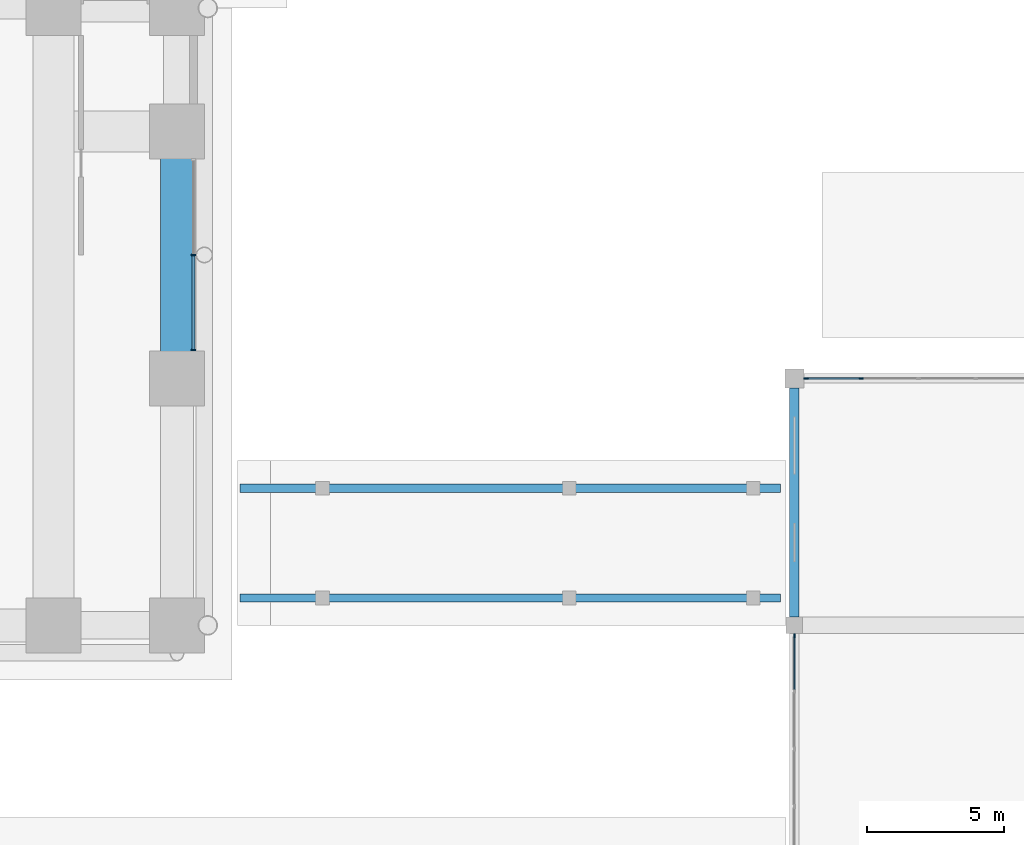
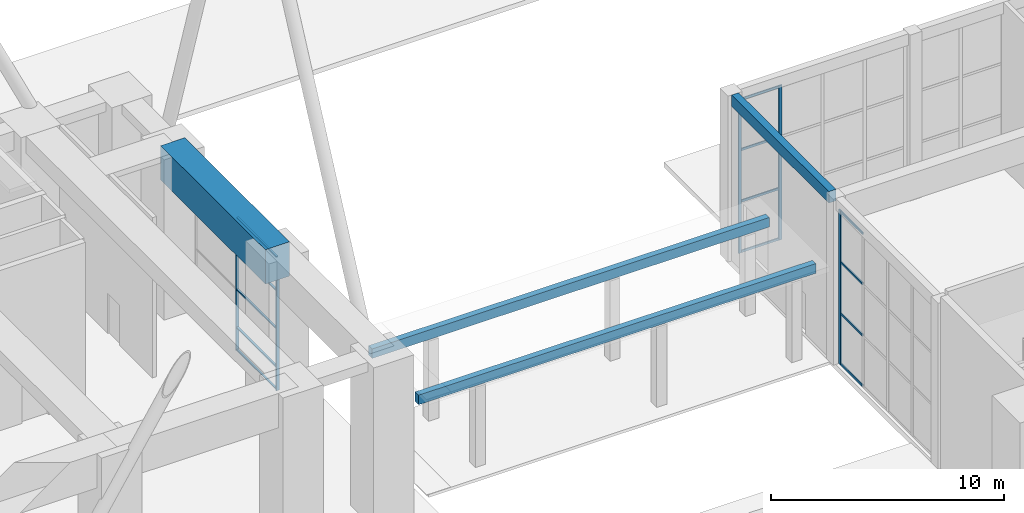
# One storey, part 14 of 44: 18 members, 4 beams, 3 elements without a shape of their own.
"""IFC4 building model written with IfcOpenShell, lengths in metres."""

from ifc_helpers import new_model, si_unit, direction, frame, origin, origin_2d, place, context, subcontext, project, spatial, rectangle, extrude, material, material_profile, profile_set, type_object, element, aggregate, save


model = new_model("IFC4")

# Units and contexts
model_context = context("Model", 3, precision=1e-05, world=origin(), true_north=direction((0.0, 1.0)))
body_context = subcontext(model_context, "Body", "Model", "MODEL_VIEW")
ifc_project = project(units=[si_unit("LENGTHUNIT", "METRE"), si_unit("AREAUNIT", "SQUARE_METRE"), si_unit("VOLUMEUNIT", "CUBIC_METRE"), si_unit("PLANEANGLEUNIT", "RADIAN"), si_unit("MASSUNIT", "GRAM", prefix="KILO")], contexts=[model_context])

# Site, building, storey
site_placement = place(None, origin())
site = spatial("IfcSite", under=ifc_project, at=site_placement, CompositionType="ELEMENT")
building_placement = place(site_placement, origin())
building = spatial("IfcBuilding", under=site, at=building_placement, Name="Firuza Court", CompositionType="ELEMENT")
storey_placement = place(building_placement, origin())
storey = spatial("IfcBuildingStorey", under=building, at=storey_placement, Name="L00", CompositionType="ELEMENT", Elevation=0.0)

# Curtain wall, member
ifc_material_1 = material(Name="Aluminium", Category="aluminium")
curtain_wall_type_1 = type_object("IfcCurtainWallType", Name="CW6 FOYER CURTAIN WALL", PredefinedType="NOTDEFINED", material=ifc_material_1)
curtain_wall_1_placement = place(storey_placement, origin())
curtain_wall_1 = element("IfcCurtainWall", 1, at=curtain_wall_1_placement, inside=storey, type_object=curtain_wall_type_1, Name="CW6 foyer curtain wall 2", PredefinedType="NOTDEFINED")
ifc_material_2 = material(Name="Aluminium", Category="aluminium")
ifc_material_profile_1 = material_profile(ifc_material_2, rectangle(XDim=0.06005859375, YDim=0.159912109375, at=origin_2d()), Name="MULLION 60X160")
ifc_profile_set_1 = profile_set([ifc_material_profile_1], Name="Aluminium")
member_type_1 = type_object("IfcMemberType", Name="CW6 MULLION 60X160", PredefinedType="MULLION", material=ifc_profile_set_1)
member_1_placement = place(storey_placement, frame((90.0, 35.6201171875, 0.0), z_axis=(0.0, 0.0, 1.0), x_axis=(-1.0, 0.0, 0.0)))
member_1 = element("IfcMember", 2, at=member_1_placement, type_object=member_type_1, Name="CW6 mullion 5", PredefinedType="MULLION", context=body_context, shape_type="SweptSolid", body=[
    extrude(rectangle(XDim=0.06005859375, YDim=0.159912109375, at=origin_2d()), origin(), (0.0, 0.0, 1.0), 8.10009765625),
])

# Curtain wall, members
curtain_wall_2_placement = place(storey_placement, origin())
curtain_wall_2 = element("IfcCurtainWall", 3, at=curtain_wall_2_placement, inside=storey, type_object=curtain_wall_type_1, Name="CW6 foyer curtain wall 3", PredefinedType="NOTDEFINED")
member_2_placement = place(storey_placement, frame((90.429931640625, 45.0, 0.0), z_axis=(0.0, 0.0, 1.0), x_axis=(0.0, 1.0, 0.0)))
member_2 = element("IfcMember", 4, at=member_2_placement, type_object=member_type_1, Name="CW6 mullion 1", PredefinedType="MULLION", context=body_context, shape_type="SweptSolid", body=[
    extrude(rectangle(XDim=0.06005859375, YDim=0.159912109375, at=origin_2d()), origin(), (0.0, 0.0, 1.0), 8.10009765625),
])
member_3_placement = place(storey_placement, frame((92.4375, 45.0, 0.0), z_axis=(0.0, 0.0, 1.0), x_axis=(0.0, 1.0, 0.0)))
member_3 = element("IfcMember", 5, at=member_3_placement, type_object=member_type_1, Name="CW6 mullion 2", PredefinedType="MULLION", context=body_context, shape_type="SweptSolid", body=[
    extrude(rectangle(XDim=0.06005859375, YDim=0.159912109375, at=origin_2d()), origin(), (0.0, 0.0, 1.0), 8.10009765625),
])

# Member
ifc_material_3 = material(Name="Aluminium", Category="aluminium")
ifc_material_profile_2 = material_profile(ifc_material_3, rectangle(XDim=0.06005859375, YDim=0.1201171875, at=origin_2d()), Name="TRANSOM 60X120")
ifc_profile_set_2 = profile_set([ifc_material_profile_2], Name="Aluminium")
member_type_2 = type_object("IfcMemberType", Name="CW6 TRANSOM 60X120", PredefinedType="USERDEFINED", material=ifc_profile_set_2)
member_4_placement = place(storey_placement, frame((90.0, 33.679931640625, 0.06005859375), z_axis=(0.0, 1.0, 0.0), x_axis=(-1.0, 0.0, 0.0)))
member_4 = element("IfcMember", 6, at=member_4_placement, type_object=member_type_2, Name="CW6 transom 4.1", ObjectType="TRANSOM", PredefinedType="USERDEFINED", context=body_context, shape_type="SweptSolid", body=[
    extrude(rectangle(XDim=0.06005859375, YDim=0.1201171875, at=origin_2d()), origin(), (0.0, 0.0, 1.0), 1.860107421875),
])

member_5_placement = place(storey_placement, frame((90.0, 33.679931640625, 2.699951171875), z_axis=(0.0, 1.0, 0.0), x_axis=(-1.0, 0.0, 0.0)))
member_5 = element("IfcMember", 7, at=member_5_placement, type_object=member_type_2, Name="CW6 transom 4.2", ObjectType="TRANSOM", PredefinedType="USERDEFINED", context=body_context, shape_type="SweptSolid", body=[
    extrude(rectangle(XDim=0.06005859375, YDim=0.1201171875, at=origin_2d()), origin(), (0.0, 0.0, 1.0), 1.860107421875),
])

member_6_placement = place(storey_placement, frame((90.0, 33.679931640625, 5.39990234375), z_axis=(0.0, 1.0, 0.0), x_axis=(-1.0, 0.0, 0.0)))
member_6 = element("IfcMember", 8, at=member_6_placement, type_object=member_type_2, Name="CW6 transom 4.3", ObjectType="TRANSOM", PredefinedType="USERDEFINED", context=body_context, shape_type="SweptSolid", body=[
    extrude(rectangle(XDim=0.06005859375, YDim=0.1201171875, at=origin_2d()), origin(), (0.0, 0.0, 1.0), 1.860107421875),
])

member_7_placement = place(storey_placement, frame((90.0, 33.679931640625, 8.0400390625), z_axis=(0.0, 1.0, 0.0), x_axis=(-1.0, 0.0, 0.0)))
member_7 = element("IfcMember", 9, at=member_7_placement, type_object=member_type_2, Name="CW6 transom 4.4", ObjectType="TRANSOM", PredefinedType="USERDEFINED", context=body_context, shape_type="SweptSolid", body=[
    extrude(rectangle(XDim=0.06005859375, YDim=0.1201171875, at=origin_2d()), origin(), (0.0, 0.0, 1.0), 1.860107421875),
])

aggregate(curtain_wall_1, [member_1, member_4, member_5, member_6, member_7])

member_8_placement = place(storey_placement, frame((90.510009765625, 45.0, 0.06005859375), z_axis=(1.0, 0.0, 0.0), x_axis=(0.0, 1.0, 0.0)))
member_8 = element("IfcMember", 10, at=member_8_placement, type_object=member_type_2, Name="CW6 transom 1.1", ObjectType="TRANSOM", PredefinedType="USERDEFINED", context=body_context, shape_type="SweptSolid", body=[
    extrude(rectangle(XDim=0.06005859375, YDim=0.1201171875, at=origin_2d()), origin(), (0.0, 0.0, 1.0), 1.847412109375),
])

member_9_placement = place(storey_placement, frame((90.510009765625, 45.0, 2.699951171875), z_axis=(1.0, 0.0, 0.0), x_axis=(0.0, 1.0, 0.0)))
member_9 = element("IfcMember", 11, at=member_9_placement, type_object=member_type_2, Name="CW6 transom 1.2", ObjectType="TRANSOM", PredefinedType="USERDEFINED", context=body_context, shape_type="SweptSolid", body=[
    extrude(rectangle(XDim=0.06005859375, YDim=0.1201171875, at=origin_2d()), origin(), (0.0, 0.0, 1.0), 1.847412109375),
])

member_10_placement = place(storey_placement, frame((90.510009765625, 45.0, 5.39990234375), z_axis=(1.0, 0.0, 0.0), x_axis=(0.0, 1.0, 0.0)))
member_10 = element("IfcMember", 12, at=member_10_placement, type_object=member_type_2, Name="CW6 transom 1.3", ObjectType="TRANSOM", PredefinedType="USERDEFINED", context=body_context, shape_type="SweptSolid", body=[
    extrude(rectangle(XDim=0.06005859375, YDim=0.1201171875, at=origin_2d()), origin(), (0.0, 0.0, 1.0), 1.847412109375),
])

member_11_placement = place(storey_placement, frame((90.510009765625, 45.0, 8.0400390625), z_axis=(1.0, 0.0, 0.0), x_axis=(0.0, 1.0, 0.0)))
member_11 = element("IfcMember", 13, at=member_11_placement, type_object=member_type_2, Name="CW6 transom 1.4", ObjectType="TRANSOM", PredefinedType="USERDEFINED", context=body_context, shape_type="SweptSolid", body=[
    extrude(rectangle(XDim=0.06005859375, YDim=0.1201171875, at=origin_2d()), origin(), (0.0, 0.0, 1.0), 1.847412109375),
])

aggregate(curtain_wall_2, [member_2, member_3, member_8, member_9, member_10, member_11])

# Curtain wall, members
ifc_material_4 = material(Name="Aluminium curtain wall, triple clear glazing", Category="aluminium")
curtain_wall_type_2 = type_object("IfcCurtainWallType", Name="Ground lobby stick shopfront CW2", PredefinedType="NOTDEFINED", material=ifc_material_4)
curtain_wall_3_placement = place(storey_placement, origin())
curtain_wall_3 = element("IfcCurtainWall", 14, at=curtain_wall_3_placement, inside=storey, type_object=curtain_wall_type_2, Name="Ground lobby stick shopfront CW2 L00", PredefinedType="NOTDEFINED")
ifc_material_5 = material(Name="Aluminium EN AW-6060 T66", Category="aluminium")
ifc_material_profile_3 = material_profile(ifc_material_5, rectangle(XDim=0.14990234375, YDim=0.06005859375, at=origin_2d()), Name="Mullion 150 x 60 CW2")
ifc_profile_set_3 = profile_set([ifc_material_profile_3], Name="Aluminium EN AW-6060 T66")
member_type_3 = type_object("IfcMemberType", Name="Mullion 150 x 60 CW2", PredefinedType="MULLION", material=ifc_profile_set_3)
member_12_placement = place(storey_placement, frame((68.10009765625, 46.030029296875, 0.0), z_axis=(0.0, 0.0, 1.0), x_axis=(-1.0, 0.0, 0.0)))
member_12 = element("IfcMember", 15, at=member_12_placement, type_object=member_type_3, Name="CW2 mullion 1", PredefinedType="MULLION", context=body_context, shape_type="SweptSolid", body=[
    extrude(rectangle(XDim=0.14990234375, YDim=0.06005859375, at=origin_2d()), origin(), (0.0, 0.0, 1.0), 7.0),
])
member_13_placement = place(storey_placement, frame((68.10009765625, 49.5, 0.0), z_axis=(0.0, 0.0, 1.0), x_axis=(-1.0, 0.0, 0.0)))
member_13 = element("IfcMember", 16, at=member_13_placement, type_object=member_type_3, Name="CW2 mullion 2", PredefinedType="MULLION", context=body_context, shape_type="SweptSolid", body=[
    extrude(rectangle(XDim=0.14990234375, YDim=0.06005859375, at=origin_2d()), origin(), (0.0, 0.0, 1.0), 7.0),
])

# Beams
ifc_material_6 = material(Name="Concrete C40/50", Category="concrete")
ifc_material_profile_4 = material_profile(ifc_material_6, rectangle(XDim=0.300048828125, YDim=0.5, at=origin_2d()), Name="RC 300X500")
ifc_profile_set_4 = profile_set([ifc_material_profile_4], Name="Concrete C40/50")
beam_type_1 = type_object("IfcBeamType", Name="RC BEAM 300X500", PredefinedType="BEAM", material=ifc_profile_set_4)
for number, where, z_axis, x_axis, name in (
    (17, (69.800048828125, 37.0, 4.449951171875), (1.0, 0.0, 0.0), (0.0, 1.0, 0.0), "Arcade beam 1"),
    (18, (69.800048828125, 41.0, 4.449951171875), (1.0, 0.0, 0.0), (0.0, 1.0, 0.0), "Arcade beam 2"),
):
    element("IfcBeam", number, at=place(storey_placement, frame(where, z_axis=z_axis, x_axis=x_axis)), inside=storey, type_object=beam_type_1, Name=name, PredefinedType="BEAM", context=body_context, shape_type="SweptSolid", body=[
        extrude(rectangle(XDim=0.300048828125, YDim=0.5, at=origin_2d()), origin(), (0.0, 0.0, 1.0), 19.699951171875),
    ])
ifc_material_7 = material(Name="Concrete C40/50", Category="concrete")
ifc_material_profile_5 = material_profile(ifc_material_7, rectangle(XDim=0.35009765625, YDim=0.60009765625, at=origin_2d()), Name="RC 350X600")
ifc_profile_set_5 = profile_set([ifc_material_profile_5], Name="Concrete C40/50")
beam_type_2 = type_object("IfcBeamType", Name="RC RING BEAM 350X600", PredefinedType="BEAM", material=ifc_profile_set_5)
beam_1_placement = place(storey_placement, frame((90.0, 36.300048828125, 8.39990234375), z_axis=(0.0, 1.0, 0.0), x_axis=(-1.0, 0.0, 0.0)))
element("IfcBeam", 19, at=beam_1_placement, inside=storey, type_object=beam_type_2, Name="Edge beam W4.1 L00", PredefinedType="BEAM", context=body_context, shape_type="SweptSolid", body=[
    extrude(rectangle(XDim=0.35009765625, YDim=0.60009765625, at=origin_2d()), origin(), (0.0, 0.0, 1.0), 8.349853515625),
])
ifc_material_8 = material(Name="Concrete C60/75", Category="concrete")
ifc_material_profile_6 = material_profile(ifc_material_8, rectangle(XDim=1.199951171875, YDim=1.800048828125, at=origin_2d()), Name="RC 1200x1800")
ifc_profile_set_6 = profile_set([ifc_material_profile_6], Name="Concrete C60/75")
beam_type_3 = type_object("IfcBeamType", Name="Transfer girder RC 1200x1800 C60/75", PredefinedType="USERDEFINED", material=ifc_profile_set_6)
beam_2_placement = place(storey_placement, frame((67.5, 45.0, 7.5), z_axis=(0.0, 1.0, 0.0), x_axis=(-1.0, 0.0, 0.0)))
element("IfcBeam", 20, at=beam_2_placement, inside=storey, type_object=beam_type_3, Name="Transfer girder TG3 level L01", ObjectType="TRANSFER GIRDER", PredefinedType="USERDEFINED", context=body_context, shape_type="SweptSolid", body=[
    extrude(rectangle(XDim=1.199951171875, YDim=1.800048828125, at=origin_2d()), origin(), (0.0, 0.0, 1.0), 9.0),
])

# Member
ifc_material_9 = material(Name="Aluminium EN AW-6060 T66", Category="aluminium")
ifc_material_profile_7 = material_profile(ifc_material_9, rectangle(XDim=0.10009765625, YDim=0.06005859375, at=origin_2d()), Name="Transom 100 x 60 CW2")
ifc_profile_set_7 = profile_set([ifc_material_profile_7], Name="Aluminium EN AW-6060 T66")
member_type_4 = type_object("IfcMemberType", Name="Transom 100 x 60 CW2", PredefinedType="USERDEFINED", material=ifc_profile_set_7)
member_14_placement = place(storey_placement, frame((68.10009765625, 46.06005859375, 0.030029296875), z_axis=(0.0, 1.0, 0.0), x_axis=(-1.0, 0.0, 0.0)))
member_14 = element("IfcMember", 21, at=member_14_placement, type_object=member_type_4, Name="CW2 transom 1.1", ObjectType="TRANSOM", PredefinedType="USERDEFINED", context=body_context, shape_type="SweptSolid", body=[
    extrude(rectangle(XDim=0.10009765625, YDim=0.06005859375, at=origin_2d()), origin(), (0.0, 0.0, 1.0), 3.409912109375),
])

member_15_placement = place(storey_placement, frame((68.10009765625, 46.06005859375, 1.199951171875), z_axis=(0.0, 1.0, 0.0), x_axis=(-1.0, 0.0, 0.0)))
member_15 = element("IfcMember", 22, at=member_15_placement, type_object=member_type_4, Name="CW2 transom 1.2", ObjectType="TRANSOM", PredefinedType="USERDEFINED", context=body_context, shape_type="SweptSolid", body=[
    extrude(rectangle(XDim=0.10009765625, YDim=0.06005859375, at=origin_2d()), origin(), (0.0, 0.0, 1.0), 3.409912109375),
])

member_16_placement = place(storey_placement, frame((68.10009765625, 46.06005859375, 3.199951171875), z_axis=(0.0, 1.0, 0.0), x_axis=(-1.0, 0.0, 0.0)))
member_16 = element("IfcMember", 23, at=member_16_placement, type_object=member_type_4, Name="CW2 transom 1.3", ObjectType="TRANSOM", PredefinedType="USERDEFINED", context=body_context, shape_type="SweptSolid", body=[
    extrude(rectangle(XDim=0.10009765625, YDim=0.06005859375, at=origin_2d()), origin(), (0.0, 0.0, 1.0), 3.409912109375),
])

member_17_placement = place(storey_placement, frame((68.10009765625, 46.06005859375, 5.199951171875), z_axis=(0.0, 1.0, 0.0), x_axis=(-1.0, 0.0, 0.0)))
member_17 = element("IfcMember", 24, at=member_17_placement, type_object=member_type_4, Name="CW2 transom 1.4", ObjectType="TRANSOM", PredefinedType="USERDEFINED", context=body_context, shape_type="SweptSolid", body=[
    extrude(rectangle(XDim=0.10009765625, YDim=0.06005859375, at=origin_2d()), origin(), (0.0, 0.0, 1.0), 3.409912109375),
])

member_18_placement = place(storey_placement, frame((68.10009765625, 46.06005859375, 6.969970703125), z_axis=(0.0, 1.0, 0.0), x_axis=(-1.0, 0.0, 0.0)))
member_18 = element("IfcMember", 25, at=member_18_placement, type_object=member_type_4, Name="CW2 transom 1.5", ObjectType="TRANSOM", PredefinedType="USERDEFINED", context=body_context, shape_type="SweptSolid", body=[
    extrude(rectangle(XDim=0.10009765625, YDim=0.06005859375, at=origin_2d()), origin(), (0.0, 0.0, 1.0), 3.409912109375),
])

aggregate(curtain_wall_3, [member_12, member_13, member_14, member_15, member_16, member_17, member_18])

save(model, "model.ifc")
